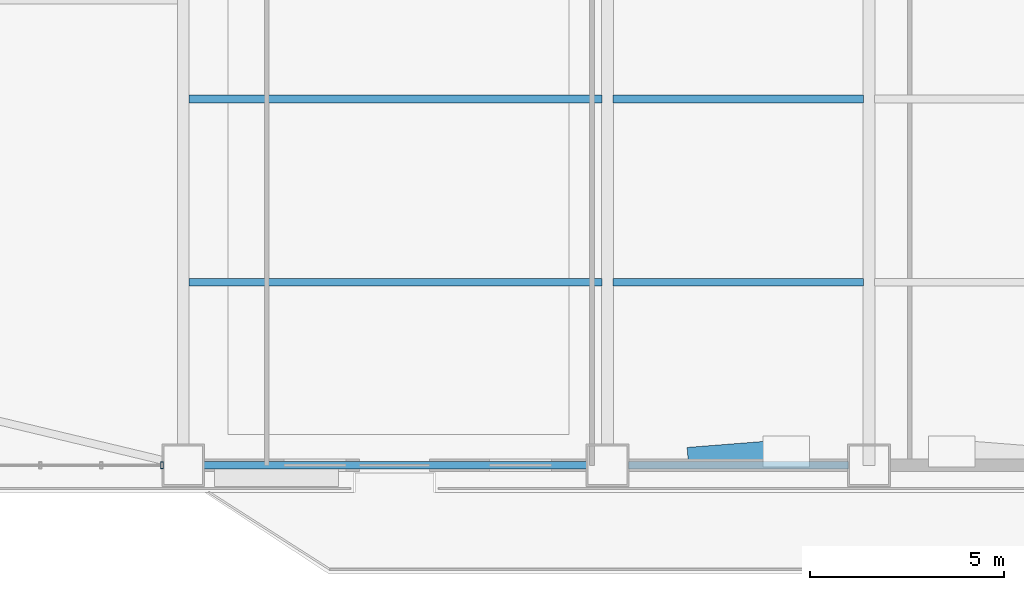
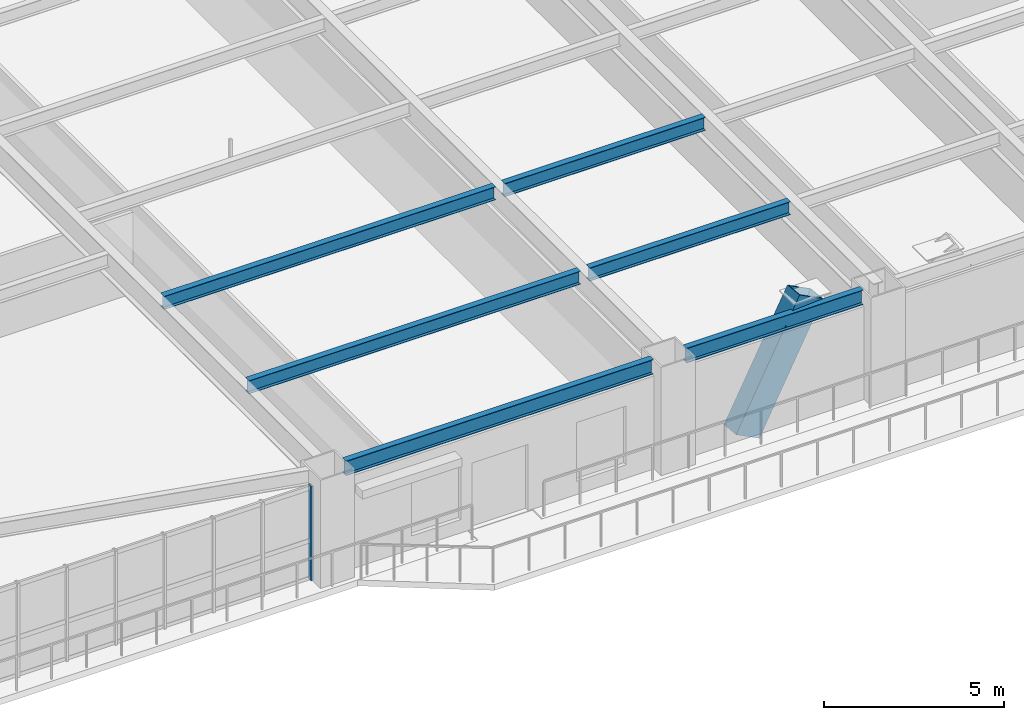
# One storey, part 4 of 17: 6 beams, 2 members, 1 element without a shape of its own.
"""IFC4 building model written with IfcOpenShell, lengths in metres."""

import ifcopenshell
import ifcopenshell.guid

model = None  # the IFC model being written
_history = None  # IfcOwnerHistory: only IFC2X3 demands one
_inside = {}  # id of a spatial element -> (the spatial element, [elements in it])
_under = {}  # id of a project, library or spatial element -> (it, [spatial elements below it])
_declared = {}  # id of a project -> (the project, [libraries it declares])
_typed = {}  # id of a type object -> (the type object, [elements of that type])
_made_of = {}  # id of a material, layer set ... -> (it, [elements and type objects made of it])


def new_model(schema):
    """Start an empty IFC model of exactly this schema.

    Asked for "IFC4X3", IfcOpenShell would pick the latest addendum, in which some entities
    have other attributes; the version numbers below select the first issue.
    IFC2X3 requires an IfcOwnerHistory on every rooted entity: one is made here for all.
    """
    global model, _history
    if schema == "IFC4X3":
        model = ifcopenshell.file(schema_version=(4, 3, 0, 0))
    else:
        model = ifcopenshell.file(schema=schema)
    _inside.clear()
    _under.clear()
    _declared.clear()
    _typed.clear()
    _made_of.clear()
    _history = None
    if model.schema == "IFC2X3":
        org = make("IfcOrganization", Name="unknown")
        user = make(
            "IfcPersonAndOrganization",
            ThePerson=make("IfcPerson", FamilyName="unknown"),
            TheOrganization=org,
        )
        app = make(
            "IfcApplication",
            ApplicationDeveloper=org,
            Version="unknown",
            ApplicationFullName="unknown",
            ApplicationIdentifier="unknown",
        )
        _history = make(
            "IfcOwnerHistory",
            OwningUser=user,
            OwningApplication=app,
            ChangeAction="ADDED",
            CreationDate=0,
        )
    return model


def make(cls, **values):
    """One entity of the class cls with the attributes given. An attribute that is None is left unset."""
    return model.create_entity(
        cls, **{name: value for name, value in values.items() if value is not None}
    )


def rooted(cls, **values):
    """An entity with a GlobalId (a new one), such as an element, a storey or a relation."""
    return make(cls, GlobalId=ifcopenshell.guid.new(), OwnerHistory=_history, **values)


def si_unit(unit_type, name, prefix=None):
    """IfcSIUnit, for example si_unit("LENGTHUNIT", "METRE", prefix="MILLI")."""
    return make("IfcSIUnit", UnitType=unit_type, Prefix=prefix, Name=name)


def assignment(units):
    """IfcUnitAssignment: the units of a project."""
    return None if units is None else make("IfcUnitAssignment", Units=units)


def point(xyz):
    """IfcCartesianPoint."""
    return None if xyz is None else make("IfcCartesianPoint", Coordinates=xyz)


def direction(xyz):
    """IfcDirection."""
    return None if xyz is None else make("IfcDirection", DirectionRatios=xyz)


def frame(location, z_axis=None, x_axis=None):
    """IfcAxis2Placement3D, a coordinate frame: its origin and axes. An axis left out is left unset."""
    return make(
        "IfcAxis2Placement3D",
        Location=point(location),
        Axis=direction(z_axis),
        RefDirection=direction(x_axis),
    )


def frame_2d(location, x_axis=None):
    """IfcAxis2Placement2D, a coordinate frame in the plane: its origin and x axis."""
    return make(
        "IfcAxis2Placement2D", Location=point(location), RefDirection=direction(x_axis)
    )


def origin():
    """The frame at (0, 0, 0) with its axes left unset."""
    return frame((0.0, 0.0, 0.0))


def origin_2d():
    """The frame at (0, 0) in the plane with its x axis left unset."""
    return frame_2d((0.0, 0.0))


def place(relative_to, where):
    """IfcLocalPlacement: puts the frame where relative to a parent placement (None: the world)."""
    return make(
        "IfcLocalPlacement", PlacementRelTo=relative_to, RelativePlacement=where
    )


def context(
    kind, dimensions, precision=None, world=None, true_north=None, identifier=None
):
    """IfcGeometricRepresentationContext, for example the 3D "Model" context."""
    return make(
        "IfcGeometricRepresentationContext",
        ContextIdentifier=identifier,
        ContextType=kind,
        CoordinateSpaceDimension=dimensions,
        Precision=precision,
        WorldCoordinateSystem=world,
        TrueNorth=true_north,
    )


def subcontext(parent, identifier, kind, view, scale=None):
    """IfcGeometricRepresentationSubContext, for example "Body" below "Model"."""
    return make(
        "IfcGeometricRepresentationSubContext",
        ContextIdentifier=identifier,
        ContextType=kind,
        ParentContext=parent,
        TargetScale=scale,
        TargetView=view,
    )


def project(units=None, contexts=None):
    """IfcProject with its units and contexts."""
    return rooted(
        "IfcProject",
        Name="project",
        RepresentationContexts=contexts,
        UnitsInContext=assignment(units),
    )


def spatial(cls, under=None, at=None, **own):
    """A site, building, storey or space (cls), placed at a placement, below another one or the project."""
    s = rooted(cls, ObjectPlacement=at, **own)
    if under is not None:
        _under.setdefault(under.id(), (under, []))[1].append(s)
    return s


def profile(cls, at=None, kind="AREA", **sizes):
    """A parametric profile (cls). Its sizes go by their IFC names, for example OverallWidth=200.0."""
    return make(cls, ProfileType=kind, Position=at, **sizes)


def hollow_rectangle(**sizes):
    """IfcRectangleHollowProfileDef."""
    return profile("IfcRectangleHollowProfileDef", **sizes)


def i_section(**sizes):
    """IfcIShapeProfileDef."""
    return profile("IfcIShapeProfileDef", **sizes)


def extrude(swept, where, along, depth):
    """IfcExtrudedAreaSolid: the profile swept, set in the frame where, extruded along a direction by depth."""
    return make(
        "IfcExtrudedAreaSolid",
        SweptArea=swept,
        Position=where,
        ExtrudedDirection=direction(along),
        Depth=depth,
    )


def shape(context_of_items, identifier, shape_type, items):
    """IfcShapeRepresentation: the items that make up one representation, for example the "Body"."""
    return make(
        "IfcShapeRepresentation",
        ContextOfItems=context_of_items,
        RepresentationIdentifier=identifier,
        RepresentationType=shape_type,
        Items=items,
    )


def source(mapping_origin, context_of_items, identifier, shape_type, items):
    """IfcRepresentationMap: a shape defined once, which mapped items show again and again."""
    return make(
        "IfcRepresentationMap",
        MappingOrigin=mapping_origin,
        MappedRepresentation=shape(context_of_items, identifier, shape_type, items),
    )


def transform(
    local_origin,
    x_axis=None,
    y_axis=None,
    z_axis=None,
    scale=None,
    scale2=None,
    scale3=None,
    uniform=True,
):
    """IfcCartesianTransformationOperator3D, or its non-uniform kind. x_axis, y_axis, z_axis: its Axis1, 2, 3."""
    if uniform:
        return make(
            "IfcCartesianTransformationOperator3D",
            Axis1=direction(x_axis),
            Axis2=direction(y_axis),
            LocalOrigin=point(local_origin),
            Scale=scale,
            Axis3=direction(z_axis),
        )
    return make(
        "IfcCartesianTransformationOperator3DnonUniform",
        Axis1=direction(x_axis),
        Axis2=direction(y_axis),
        LocalOrigin=point(local_origin),
        Scale=scale,
        Axis3=direction(z_axis),
        Scale2=scale2,
        Scale3=scale3,
    )


def mapped(mapping_source, mapping_target):
    """IfcMappedItem: shows the shape of a source again, moved by a transform."""
    return make(
        "IfcMappedItem", MappingSource=mapping_source, MappingTarget=mapping_target
    )


def material(Name=None, Category=None):
    """IfcMaterial."""
    return make("IfcMaterial", Name=Name, Category=Category)


def layer(
    of_material, thickness, ventilated=None, Name=None, Category=None, Priority=None
):
    """IfcMaterialLayer: one layer of a wall or slab, of a material (None: an air gap)."""
    return make(
        "IfcMaterialLayer",
        Material=of_material,
        LayerThickness=thickness,
        IsVentilated=ventilated,
        Name=Name,
        Category=Category,
        Priority=Priority,
    )


def layer_set(layers, Name=None):
    """IfcMaterialLayerSet."""
    return make("IfcMaterialLayerSet", MaterialLayers=layers, LayerSetName=Name)


def material_profile(
    of_material, cross_section, Name=None, Category=None, Priority=None
):
    """IfcMaterialProfile: a cross section and its material."""
    return make(
        "IfcMaterialProfile",
        Name=Name,
        Material=of_material,
        Profile=cross_section,
        Priority=Priority,
        Category=Category,
    )


def profile_set(profiles, Name=None, composite=None):
    """IfcMaterialProfileSet."""
    return make(
        "IfcMaterialProfileSet",
        Name=Name,
        MaterialProfiles=profiles,
        CompositeProfile=composite,
    )


def made_of(thing, what):
    """Note that an element or type object is made of a material, layer set ...; save() writes the relation."""
    if what is not None:
        _made_of.setdefault(what.id(), (what, []))[1].append(thing)
    return thing


def type_object(cls, material=None, **own):
    """A type object (cls), such as IfcWallType, which elements share."""
    return made_of(rooted(cls, **own), material)


def element(
    cls,
    number,
    at=None,
    inside=None,
    cuts=None,
    type_object=None,
    material=None,
    context=None,
    identifier="Body",
    shape_type=None,
    held_by="IfcProductDefinitionShape",
    body=None,
    shapes=None,
    **own,
):
    """One element of the class cls, such as IfcWall. Its Tag is "e" and its number.

    at: its placement. inside: the storey or other place that contains it. cuts: it is an
    opening in that element (IfcRelVoidsElement). A single representation is given by context,
    identifier, shape_type and body (its items); several are given by shapes. held_by: the class
    of the entity that holds the representations. save() writes the other relations.
    """
    e = rooted(cls, Tag="e%d" % number, ObjectPlacement=at, **own)
    if body is not None:
        shapes = [shape(context, identifier, shape_type, body)]
    if shapes is not None:
        e.Representation = make(held_by, Representations=shapes)
    if inside is not None:
        _inside.setdefault(inside.id(), (inside, []))[1].append(e)
    if cuts is not None:
        rooted(
            "IfcRelVoidsElement", RelatingBuildingElement=cuts, RelatedOpeningElement=e
        )
    if type_object is not None:
        _typed.setdefault(type_object.id(), (type_object, []))[1].append(e)
    return made_of(e, material)


def aggregate(whole, parts):
    """IfcRelAggregates: a whole, such as a stair, and the parts it consists of."""
    return rooted("IfcRelAggregates", RelatingObject=whole, RelatedObjects=parts)


def save(model, path):
    """Write the relations noted so far, then the file.

    IfcRelAggregates (storeys below a building ...), IfcRelContainedInSpatialStructure (elements
    in a storey), IfcRelDefinesByType, IfcRelAssociatesMaterial and IfcRelDeclares: one each for
    every whole, place, type object, material and project.
    """
    for whole, parts in _under.values():
        aggregate(whole, parts)
    for where, things in _inside.values():
        rooted(
            "IfcRelContainedInSpatialStructure",
            RelatedElements=things,
            RelatingStructure=where,
        )
    for kind, things in _typed.values():
        rooted("IfcRelDefinesByType", RelatedObjects=things, RelatingType=kind)
    for what, things in _made_of.values():
        rooted("IfcRelAssociatesMaterial", RelatedObjects=things, RelatingMaterial=what)
    for by, libraries in _declared.values():
        rooted("IfcRelDeclares", RelatingContext=by, RelatedDefinitions=libraries)
    model.write(path)


model = new_model("IFC4")

# Units and contexts
model_context = context("Model", 3, precision=1e-05, world=origin(), true_north=direction((0.0, 1.0)))
body_context = subcontext(model_context, "Body", "Model", "MODEL_VIEW")
ifc_project = project(units=[si_unit("LENGTHUNIT", "METRE"), si_unit("AREAUNIT", "SQUARE_METRE"), si_unit("VOLUMEUNIT", "CUBIC_METRE"), si_unit("PLANEANGLEUNIT", "RADIAN"), si_unit("MASSUNIT", "GRAM", prefix="KILO")], contexts=[model_context])

# Site, building, storey
site_placement = place(None, origin())
site = spatial("IfcSite", under=ifc_project, at=site_placement, CompositionType="ELEMENT")
building_placement = place(site_placement, origin())
building = spatial("IfcBuilding", under=site, at=building_placement, Name="Giltprow Tower", CompositionType="ELEMENT")
storey_placement = place(building_placement, frame((0.0, 0.0, 53.300048828125)))
storey = spatial("IfcBuildingStorey", under=building, at=storey_placement, Name="L13", CompositionType="ELEMENT", Elevation=53.300048828125)

# Beams
ifc_material_1 = material(Name="Structural steel Q355B", Category="steel")
ifc_material_profile_1 = material_profile(ifc_material_1, i_section(OverallWidth=0.199951171875, OverallDepth=0.5, WebThickness=0.010009765625, FlangeThickness=0.01611328125, at=origin_2d()), Name="HN 500x200x10x16")
ifc_profile_set_1 = profile_set([ifc_material_profile_1], Name="Structural steel Q355B")
beam_type_1 = type_object("IfcBeamType", Name="BM-SPAN-HN500", PredefinedType="SPANDREL", material=ifc_profile_set_1)
shared_shape_1 = source(origin(), body_context, "Body", "SweptSolid", [
    extrude(i_section(OverallWidth=0.199951171875, OverallDepth=0.5, WebThickness=0.010009765625, FlangeThickness=0.01611328125, at=origin_2d()), origin(), (0.0, 0.0, 1.0), 9.8798828125),
])
beam_1_placement = place(storey_placement, frame((20.385009765625, 4.35400390625, 3.429931640625), z_axis=(1.0, 0.0, 0.0), x_axis=(0.0, 1.0, 0.0)))
element("IfcBeam", 1, at=beam_1_placement, inside=storey, type_object=beam_type_1, Name="L13 Perimeter Spandrel Beam S1-S2", PredefinedType="SPANDREL", context=body_context, shape_type="MappedRepresentation", body=[
    mapped(shared_shape_1, transform((0.0, 0.0, 0.0), x_axis=(1.0, 0.0, 0.0), y_axis=(0.0, 1.0, 0.0), z_axis=(0.0, 0.0, 1.0), scale=1.0)),
])
shared_shape_2 = source(origin(), body_context, "Body", "SweptSolid", [
    extrude(i_section(OverallWidth=0.199951171875, OverallDepth=0.5, WebThickness=0.010009765625, FlangeThickness=0.01611328125, at=origin_2d()), origin(), (0.0, 0.0, 1.0), 5.679931640625),
])
beam_2_placement = place(storey_placement, frame((31.3349609375, 4.35400390625, 3.429931640625), z_axis=(1.0, 0.0, 0.0), x_axis=(0.0, 1.0, 0.0)))
element("IfcBeam", 2, at=beam_2_placement, inside=storey, type_object=beam_type_1, Name="L13 Perimeter Spandrel Beam S2-S_MID", PredefinedType="SPANDREL", context=body_context, shape_type="MappedRepresentation", body=[
    mapped(shared_shape_2, transform((0.0, 0.0, 0.0), x_axis=(1.0, 0.0, 0.0), y_axis=(0.0, 1.0, 0.0), z_axis=(0.0, 0.0, 1.0), scale=1.0)),
])
ifc_material_profile_2 = material_profile(ifc_material_1, i_section(OverallWidth=0.199951171875, OverallDepth=0.449951171875, WebThickness=0.009033203125, FlangeThickness=0.013916015625, at=origin_2d()), Name="HN 450x200x9x14")
ifc_profile_set_2 = profile_set([ifc_material_profile_2], Name="Structural steel Q355B")
beam_type_2 = type_object("IfcBeamType", Name="BM-JOIST-HN450", PredefinedType="JOIST", material=ifc_profile_set_2)
shared_shape_3 = source(origin(), body_context, "Body", "SweptSolid", [
    extrude(i_section(OverallWidth=0.199951171875, OverallDepth=0.449951171875, WebThickness=0.009033203125, FlangeThickness=0.013916015625, at=origin_2d()), origin(), (0.0, 0.0, 1.0), 10.659912109375),
])
for number, where, z_axis, x_axis, name in (
    (3, (19.9951171875, 9.08203125, 3.454833984375), (1.0, 0.0, 0.0), (0.0, 1.0, 0.0), "L13 Composite Floor Joist 1-1"),
    (4, (19.9951171875, 13.81005859375, 3.454833984375), (1.0, 0.0, 0.0), (0.0, 1.0, 0.0), "L13 Composite Floor Joist 2-1"),
):
    element("IfcBeam", number, at=place(storey_placement, frame(where, z_axis=z_axis, x_axis=x_axis)), inside=storey, type_object=beam_type_2, Name=name, PredefinedType="JOIST", context=body_context, shape_type="MappedRepresentation", body=[
        mapped(shared_shape_3, transform((0.0, 0.0, 0.0), x_axis=(1.0, 0.0, 0.0), y_axis=(0.0, 1.0, 0.0), z_axis=(0.0, 0.0, 1.0), scale=1.0)),
    ])
shared_shape_4 = source(origin(), body_context, "Body", "SweptSolid", [
    extrude(i_section(OverallWidth=0.199951171875, OverallDepth=0.449951171875, WebThickness=0.009033203125, FlangeThickness=0.013916015625, at=origin_2d()), origin(), (0.0, 0.0, 1.0), 6.4599609375),
])
for number, where, z_axis, x_axis, name in (
    (5, (30.945068359375, 9.08203125, 3.454833984375), (1.0, 0.0, 0.0), (0.0, 1.0, 0.0), "L13 Composite Floor Joist 1-2"),
    (6, (30.945068359375, 13.81005859375, 3.454833984375), (1.0, 0.0, 0.0), (0.0, 1.0, 0.0), "L13 Composite Floor Joist 2-2"),
):
    element("IfcBeam", number, at=place(storey_placement, frame(where, z_axis=z_axis, x_axis=x_axis)), inside=storey, type_object=beam_type_2, Name=name, PredefinedType="JOIST", context=body_context, shape_type="MappedRepresentation", body=[
        mapped(shared_shape_4, transform((0.0, 0.0, 0.0), x_axis=(1.0, 0.0, 0.0), y_axis=(0.0, 1.0, 0.0), z_axis=(0.0, 0.0, 1.0), scale=1.0)),
    ])

# Member
ifc_material_2 = material(Name="Structural steel Q420GJC", Category="steel")
ifc_material_profile_3 = material_profile(ifc_material_2, hollow_rectangle(XDim=0.60009765625, YDim=0.89990234375, WallThickness=0.0400390625, at=origin_2d()), Name="RHS 900x600x40")
ifc_profile_set_3 = profile_set([ifc_material_profile_3], Name="Structural steel Q420GJC")
member_type_1 = type_object("IfcMemberType", Name="MBR-MEGA-RHS900", PredefinedType="BRACE", material=ifc_profile_set_3)
shared_shape_5 = source(origin(), body_context, "Body", "SweptSolid", [
    extrude(hollow_rectangle(XDim=0.60009765625, YDim=0.89990234375, WallThickness=0.0400390625, at=origin_2d()), origin(), (0.0, 0.0, 1.0), 4.45166015625),
])
member_1_placement = place(storey_placement, frame((33.27001953125, 4.547119140625, 0.0), z_axis=(0.480703725667, 0.037732363178, 0.876070885773), x_axis=(-0.078253309024, 0.996933508127, 0.0)))
element("IfcMember", 7, at=member_1_placement, inside=storey, type_object=member_type_1, Name="L13 Chevron Mega-Brace S-L", PredefinedType="BRACE", context=body_context, shape_type="MappedRepresentation", body=[
    mapped(shared_shape_5, transform((0.0, 0.0, 0.0), x_axis=(1.0, 0.0, 0.0), y_axis=(0.0, 1.0, 0.0), z_axis=(0.0, 0.0, 1.0), scale=1.0)),
])

# Curtain wall, member
ifc_material_3 = material(Name="Anodized bronze", Category="metal")
ifc_layer = layer(ifc_material_3, 0.179931640625, Name="Anodized bronze")
ifc_layer_set = layer_set([ifc_layer], Name="Anodized bronze")
curtain_wall_type = type_object("IfcCurtainWallType", Name="CW-OFF-RECESSED", PredefinedType="NOTDEFINED", material=ifc_layer_set)
curtain_wall_placement = place(storey_placement, origin())
curtain_wall = element("IfcCurtainWall", 8, at=curtain_wall_placement, inside=storey, type_object=curtain_wall_type, Name="L13 South Recessed Curtain Wall 1", PredefinedType="NOTDEFINED")
ifc_material_profile_4 = material_profile(ifc_material_3, hollow_rectangle(XDim=0.074951171875, YDim=0.179931640625, WallThickness=0.008056640625, at=origin_2d()), Name="RHS 180x75x8")
ifc_profile_set_4 = profile_set([ifc_material_profile_4], Name="Anodized bronze")
member_type_2 = type_object("IfcMemberType", Name="CW-MULLION-180x75", PredefinedType="MULLION", material=ifc_profile_set_4)
shared_shape_6 = source(origin(), body_context, "Body", "SweptSolid", [
    extrude(hollow_rectangle(XDim=0.074951171875, YDim=0.179931640625, WallThickness=0.008056640625, at=origin_2d()), origin(), (0.0, 0.0, 1.0), 3.215087890625),
])
member_2_placement = place(storey_placement, frame((19.300048828125, 4.35400390625, -0.02001953125), z_axis=(0.0, 0.0, 1.0), x_axis=(1.0, 0.0, 0.0)))
member_2 = element("IfcMember", 9, at=member_2_placement, type_object=member_type_2, Name="L13 South Recessed Curtain Wall 1 Mullion 9", PredefinedType="MULLION", context=body_context, shape_type="MappedRepresentation", body=[
    mapped(shared_shape_6, transform((0.0, 0.0, 0.0), x_axis=(1.0, 0.0, 0.0), y_axis=(0.0, 1.0, 0.0), z_axis=(0.0, 0.0, 1.0), scale=1.0)),
])
aggregate(curtain_wall, [member_2])

save(model, "model.ifc")
